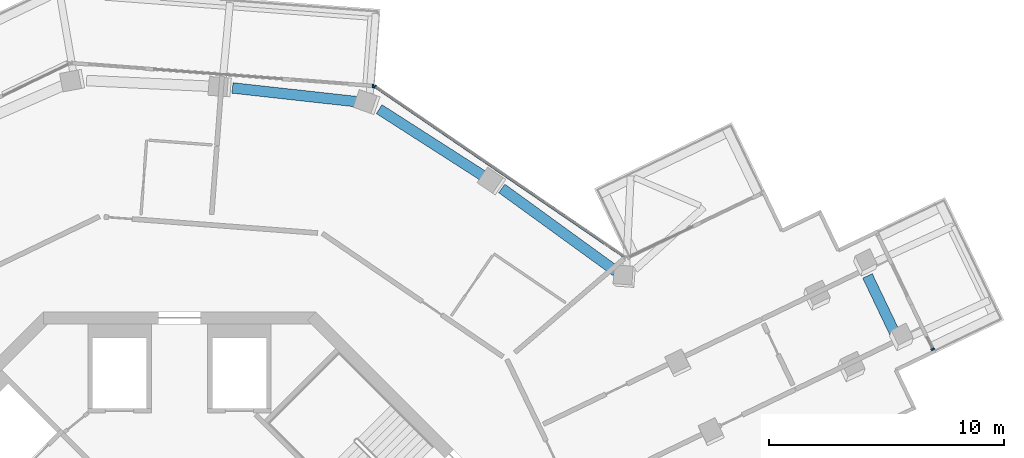
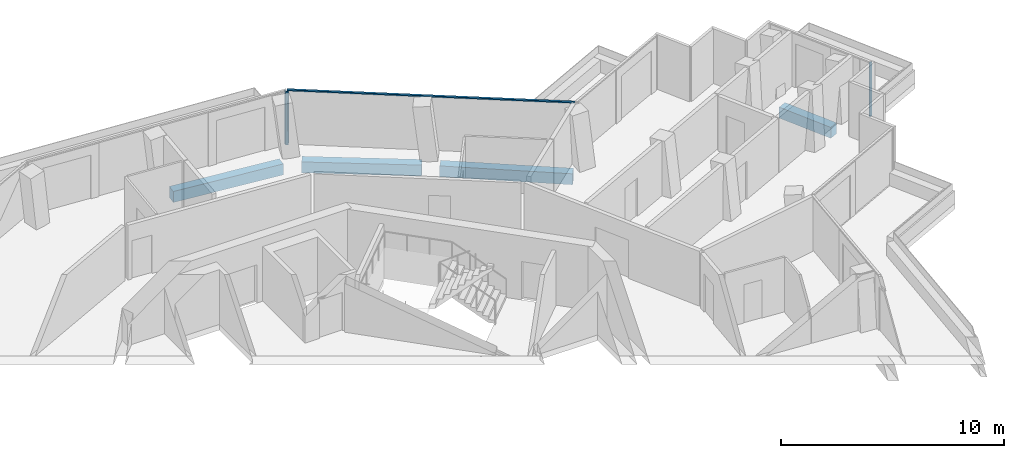
# One storey, part 9 of 23: 4 beams, 4 members, 3 elements without a shape of their own.
"""IFC4 building model written with IfcOpenShell, lengths in metres."""

from ifc_helpers import new_model, si_unit, direction, frame, origin, origin_2d, place, context, subcontext, project, spatial, rectangle, extrude, material, layer, layer_set, material_profile, profile_set, type_object, element, aggregate, save


model = new_model("IFC4")

# Units and contexts
model_context = context("Model", 3, precision=1e-05, world=origin(), true_north=direction((0.0, 1.0)))
body_context = subcontext(model_context, "Body", "Model", "MODEL_VIEW")
ifc_project = project(units=[si_unit("LENGTHUNIT", "METRE"), si_unit("AREAUNIT", "SQUARE_METRE"), si_unit("VOLUMEUNIT", "CUBIC_METRE"), si_unit("PLANEANGLEUNIT", "RADIAN"), si_unit("MASSUNIT", "GRAM", prefix="KILO")], contexts=[model_context])

# Site, building, storey
site_placement = place(None, origin())
site = spatial("IfcSite", under=ifc_project, at=site_placement, CompositionType="ELEMENT")
building_placement = place(site_placement, origin())
building = spatial("IfcBuilding", under=site, at=building_placement, Name="Verdalira Terraces Hotel", CompositionType="ELEMENT")
storey_placement = place(building_placement, frame((0.0, 0.0, 259.5)))
storey = spatial("IfcBuildingStorey", under=building, at=storey_placement, Name="L64", CompositionType="ELEMENT", Elevation=259.5)

# Curtain wall, member
ifc_material_1 = material(Name="Clear glass", Category="glass")
ifc_layer_1 = layer(ifc_material_1, 0.14990234375)
ifc_layer_set_1 = layer_set([ifc_layer_1], Name="CW1 curtain wall")
curtain_wall_type_1 = type_object("IfcCurtainWallType", Name="CW1 curtain wall", PredefinedType="NOTDEFINED", material=ifc_layer_set_1)
curtain_wall_1_placement = place(storey_placement, origin())
curtain_wall_1 = element("IfcCurtainWall", 1, at=curtain_wall_1_placement, inside=storey, type_object=curtain_wall_type_1, Name="CW1 curtain wall L64 edge 39", PredefinedType="NOTDEFINED")
ifc_material_2 = material(Name="Terracotta frame", Category="masonry")
ifc_material_profile_1 = material_profile(ifc_material_2, rectangle(XDim=0.060059, YDim=0.149902, at=origin_2d()), Name="MU 60x150")
ifc_profile_set_1 = profile_set([ifc_material_profile_1], Name="Terracotta frame")
member_type_1 = type_object("IfcMemberType", Name="CW1 mullion 60x150", PredefinedType="MULLION", material=ifc_profile_set_1)
member_1_placement = place(storey_placement, frame((8.324463, 23.598389, 0.0), z_axis=(0.0, 0.0, 1.0), x_axis=(-0.825901536, 0.563814377, 0.0)))
member_1 = element("IfcMember", 2, at=member_1_placement, type_object=member_type_1, Name="CW1 mullion", PredefinedType="MULLION", context=body_context, shape_type="SweptSolid", body=[
    extrude(rectangle(XDim=0.060059, YDim=0.149902, at=origin_2d()), origin(), (0.0, 0.0, 1.0), 2.935059),
])

curtain_wall_2_placement = place(storey_placement, origin())
curtain_wall_2 = element("IfcCurtainWall", 3, at=curtain_wall_2_placement, inside=storey, type_object=curtain_wall_type_1, Name="CW1 curtain wall L64 edge 40", PredefinedType="NOTDEFINED")
member_2_placement = place(storey_placement, frame((8.233154, 23.630371, 0.0), z_axis=(0.0, 0.0, 1.0), x_axis=(-0.9971589, 0.075326806, 0.0)))
member_2 = element("IfcMember", 4, at=member_2_placement, type_object=member_type_1, Name="CW1 mullion", PredefinedType="MULLION", context=body_context, shape_type="SweptSolid", body=[
    extrude(rectangle(XDim=0.060059, YDim=0.149902, at=origin_2d()), origin(), (0.0, 0.0, 1.0), 2.935059),
])
aggregate(curtain_wall_2, [member_2])

# Member
ifc_material_3 = material(Name="Terracotta frame", Category="masonry")
ifc_material_profile_2 = material_profile(ifc_material_3, rectangle(XDim=0.110107, YDim=0.064941, at=origin_2d()), Name="TR 65x110")
ifc_profile_set_2 = profile_set([ifc_material_profile_2], Name="Terracotta frame")
member_type_2 = type_object("IfcMemberType", Name="CW1 transom 65x110", PredefinedType="USERDEFINED", material=ifc_profile_set_2)
member_3_placement = place(storey_placement, frame((19.003174, 16.30835, 2.967529), z_axis=(-0.825899189, 0.563817815, 0.0), x_axis=(-0.563817815, -0.825899189, 0.0)))
member_3 = element("IfcMember", 5, at=member_3_placement, type_object=member_type_2, Name="CW1 transom", ObjectType="TRANSOM", PredefinedType="USERDEFINED", context=body_context, shape_type="SweptSolid", body=[
    extrude(rectangle(XDim=0.110107, YDim=0.064941, at=origin_2d()), origin(), (0.0, 0.0, 1.0), 12.959717),
])

aggregate(curtain_wall_1, [member_1, member_3])

# Curtain wall, member
ifc_material_4 = material(Name="Clear glass", Category="glass")
ifc_layer_2 = layer(ifc_material_4, 0.14990234375)
ifc_layer_set_2 = layer_set([ifc_layer_2], Name="CW3 curtain wall")
curtain_wall_type_2 = type_object("IfcCurtainWallType", Name="CW3 curtain wall", PredefinedType="NOTDEFINED", material=ifc_layer_set_2)
curtain_wall_3_placement = place(storey_placement, origin())
curtain_wall_3 = element("IfcCurtainWall", 6, at=curtain_wall_3_placement, inside=storey, type_object=curtain_wall_type_2, Name="CW3 curtain wall L64 edge 33", PredefinedType="NOTDEFINED")
ifc_material_5 = material(Name="Terracotta frame", Category="masonry")
ifc_material_profile_3 = material_profile(ifc_material_5, rectangle(XDim=0.080078, YDim=0.149902, at=origin_2d()), Name="MU 80x150")
ifc_profile_set_3 = profile_set([ifc_material_profile_3], Name="Terracotta frame")
member_type_3 = type_object("IfcMemberType", Name="CW3 mullion 80x150", PredefinedType="MULLION", material=ifc_profile_set_3)
member_4_placement = place(storey_placement, frame((32.071289, 12.414062, 0.0), z_axis=(0.0, 0.0, 1.0), x_axis=(-0.433344523, 0.901228342, 0.0)))
member_4 = element("IfcMember", 7, at=member_4_placement, type_object=member_type_3, Name="CW3 mullion", PredefinedType="MULLION", context=body_context, shape_type="SweptSolid", body=[
    extrude(rectangle(XDim=0.080078, YDim=0.149902, at=origin_2d()), origin(), (0.0, 0.0, 1.0), 2.935059),
])
aggregate(curtain_wall_3, [member_4])

# Beams
ifc_material_6 = material(Name="Concrete C40", Category="concrete")
ifc_material_profile_4 = material_profile(ifc_material_6, rectangle(XDim=0.449951, YDim=0.600098, at=origin_2d()), Name="RC 450X600")
ifc_profile_set_4 = profile_set([ifc_material_profile_4], Name="Concrete C40")
beam_type = type_object("IfcBeamType", Name="Spandrel beam RC 450X600 C40", PredefinedType="SPANDREL", material=ifc_profile_set_4)
beam_1_placement = place(storey_placement, frame((30.503906, 13.002197, -0.610107), z_axis=(-0.43070225, 0.902494084, 0.0), x_axis=(-0.902494084, -0.43070225, 0.0)))
element("IfcBeam", 8, at=beam_1_placement, inside=storey, type_object=beam_type, Name="Spandrel beam B17", PredefinedType="SPANDREL", context=body_context, shape_type="SweptSolid", body=[
    extrude(rectangle(XDim=0.449951, YDim=0.600098, at=origin_2d()), origin(), (0.0, 0.0, 1.0), 2.810303),
])
beam_2_placement = place(storey_placement, frame((18.578857, 15.738281, -0.610107), z_axis=(-0.809330439, 0.58735359, 0.0), x_axis=(-0.58735359, -0.809330439, 0.0)))
element("IfcBeam", 9, at=beam_2_placement, inside=storey, type_object=beam_type, Name="Spandrel beam B18", PredefinedType="SPANDREL", context=body_context, shape_type="SweptSolid", body=[
    extrude(rectangle(XDim=0.449951, YDim=0.600098, at=origin_2d()), origin(), (0.0, 0.0, 1.0), 5.999756),
])
beam_3_placement = place(storey_placement, frame((13.043945, 19.725586, -0.610107), z_axis=(-0.841852776, 0.539707239, 0.0), x_axis=(-0.539707239, -0.841852776, 0.0)))
element("IfcBeam", 10, at=beam_3_placement, inside=storey, type_object=beam_type, Name="Spandrel beam B19", PredefinedType="SPANDREL", context=body_context, shape_type="SweptSolid", body=[
    extrude(rectangle(XDim=0.449951, YDim=0.600098, at=origin_2d()), origin(), (0.0, 0.0, 1.0), 5.394287),
])
beam_4_placement = place(storey_placement, frame((7.619873, 22.94751, -0.610107), z_axis=(-0.993944817, 0.109880391, 0.0), x_axis=(-0.109880391, -0.993944817, 0.0)))
element("IfcBeam", 11, at=beam_4_placement, inside=storey, type_object=beam_type, Name="Spandrel beam B20", PredefinedType="SPANDREL", context=body_context, shape_type="SweptSolid", body=[
    extrude(rectangle(XDim=0.449951, YDim=0.600098, at=origin_2d()), origin(), (0.0, 0.0, 1.0), 5.396973),
])

save(model, "model.ifc")
